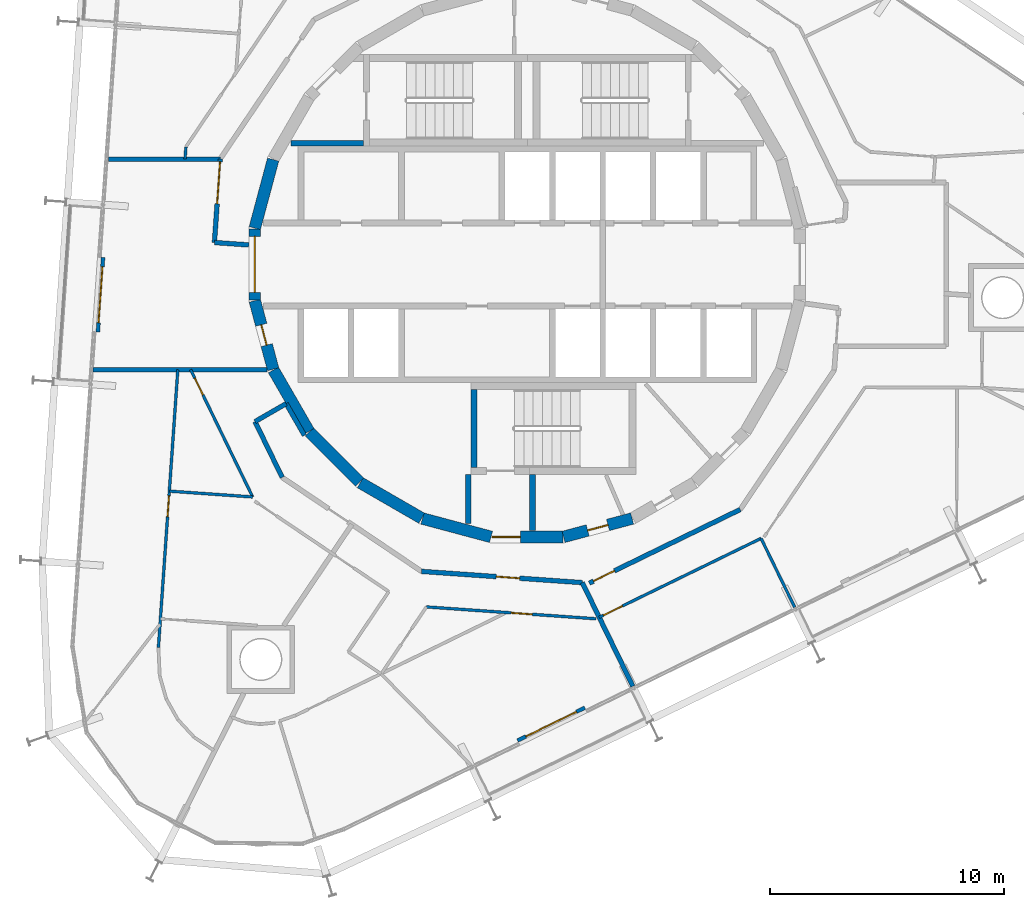
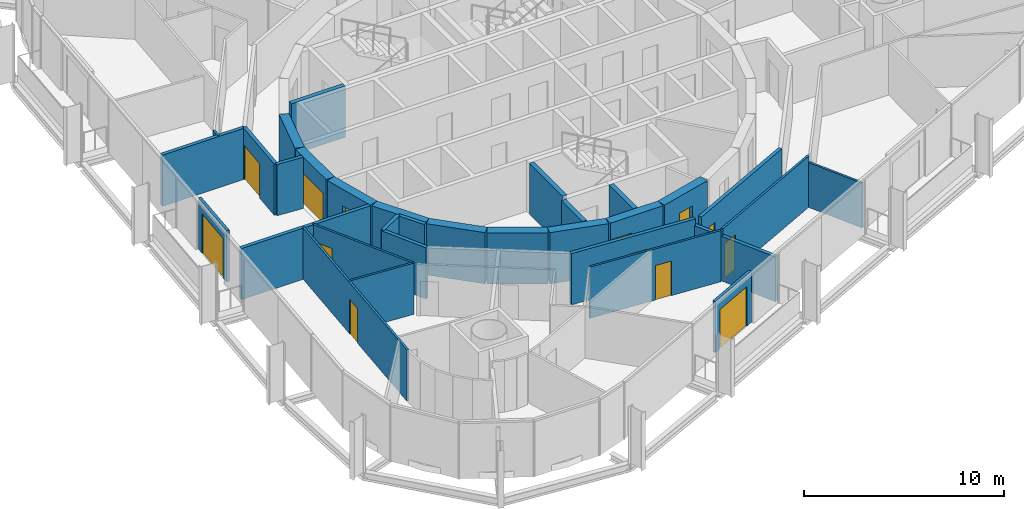
# One storey, part 12 of 17: 32 walls, 13 doors, 13 openings.
"""IFC4 building model written with IfcOpenShell, lengths in metres."""

import ifcopenshell
import ifcopenshell.guid

model = None  # the IFC model being written
_history = None  # IfcOwnerHistory: only IFC2X3 demands one
_inside = {}  # id of a spatial element -> (the spatial element, [elements in it])
_under = {}  # id of a project, library or spatial element -> (it, [spatial elements below it])
_declared = {}  # id of a project -> (the project, [libraries it declares])
_typed = {}  # id of a type object -> (the type object, [elements of that type])
_made_of = {}  # id of a material, layer set ... -> (it, [elements and type objects made of it])


def new_model(schema):
    """Start an empty IFC model of exactly this schema.

    Asked for "IFC4X3", IfcOpenShell would pick the latest addendum, in which some entities
    have other attributes; the version numbers below select the first issue.
    IFC2X3 requires an IfcOwnerHistory on every rooted entity: one is made here for all.
    """
    global model, _history
    if schema == "IFC4X3":
        model = ifcopenshell.file(schema_version=(4, 3, 0, 0))
    else:
        model = ifcopenshell.file(schema=schema)
    _inside.clear()
    _under.clear()
    _declared.clear()
    _typed.clear()
    _made_of.clear()
    _history = None
    if model.schema == "IFC2X3":
        org = make("IfcOrganization", Name="unknown")
        user = make(
            "IfcPersonAndOrganization",
            ThePerson=make("IfcPerson", FamilyName="unknown"),
            TheOrganization=org,
        )
        app = make(
            "IfcApplication",
            ApplicationDeveloper=org,
            Version="unknown",
            ApplicationFullName="unknown",
            ApplicationIdentifier="unknown",
        )
        _history = make(
            "IfcOwnerHistory",
            OwningUser=user,
            OwningApplication=app,
            ChangeAction="ADDED",
            CreationDate=0,
        )
    return model


def make(cls, **values):
    """One entity of the class cls with the attributes given. An attribute that is None is left unset."""
    return model.create_entity(
        cls, **{name: value for name, value in values.items() if value is not None}
    )


def rooted(cls, **values):
    """An entity with a GlobalId (a new one), such as an element, a storey or a relation."""
    return make(cls, GlobalId=ifcopenshell.guid.new(), OwnerHistory=_history, **values)


def si_unit(unit_type, name, prefix=None):
    """IfcSIUnit, for example si_unit("LENGTHUNIT", "METRE", prefix="MILLI")."""
    return make("IfcSIUnit", UnitType=unit_type, Prefix=prefix, Name=name)


def assignment(units):
    """IfcUnitAssignment: the units of a project."""
    return None if units is None else make("IfcUnitAssignment", Units=units)


def point(xyz):
    """IfcCartesianPoint."""
    return None if xyz is None else make("IfcCartesianPoint", Coordinates=xyz)


def direction(xyz):
    """IfcDirection."""
    return None if xyz is None else make("IfcDirection", DirectionRatios=xyz)


def frame(location, z_axis=None, x_axis=None):
    """IfcAxis2Placement3D, a coordinate frame: its origin and axes. An axis left out is left unset."""
    return make(
        "IfcAxis2Placement3D",
        Location=point(location),
        Axis=direction(z_axis),
        RefDirection=direction(x_axis),
    )


def frame_2d(location, x_axis=None):
    """IfcAxis2Placement2D, a coordinate frame in the plane: its origin and x axis."""
    return make(
        "IfcAxis2Placement2D", Location=point(location), RefDirection=direction(x_axis)
    )


def origin():
    """The frame at (0, 0, 0) with its axes left unset."""
    return frame((0.0, 0.0, 0.0))


def place(relative_to, where):
    """IfcLocalPlacement: puts the frame where relative to a parent placement (None: the world)."""
    return make(
        "IfcLocalPlacement", PlacementRelTo=relative_to, RelativePlacement=where
    )


def context(
    kind, dimensions, precision=None, world=None, true_north=None, identifier=None
):
    """IfcGeometricRepresentationContext, for example the 3D "Model" context."""
    return make(
        "IfcGeometricRepresentationContext",
        ContextIdentifier=identifier,
        ContextType=kind,
        CoordinateSpaceDimension=dimensions,
        Precision=precision,
        WorldCoordinateSystem=world,
        TrueNorth=true_north,
    )


def subcontext(parent, identifier, kind, view, scale=None):
    """IfcGeometricRepresentationSubContext, for example "Body" below "Model"."""
    return make(
        "IfcGeometricRepresentationSubContext",
        ContextIdentifier=identifier,
        ContextType=kind,
        ParentContext=parent,
        TargetScale=scale,
        TargetView=view,
    )


def project(units=None, contexts=None):
    """IfcProject with its units and contexts."""
    return rooted(
        "IfcProject",
        Name="project",
        RepresentationContexts=contexts,
        UnitsInContext=assignment(units),
    )


def spatial(cls, under=None, at=None, **own):
    """A site, building, storey or space (cls), placed at a placement, below another one or the project."""
    s = rooted(cls, ObjectPlacement=at, **own)
    if under is not None:
        _under.setdefault(under.id(), (under, []))[1].append(s)
    return s


def profile(cls, at=None, kind="AREA", **sizes):
    """A parametric profile (cls). Its sizes go by their IFC names, for example OverallWidth=200.0."""
    return make(cls, ProfileType=kind, Position=at, **sizes)


def rectangle(**sizes):
    """IfcRectangleProfileDef."""
    return profile("IfcRectangleProfileDef", **sizes)


def extrude(swept, where, along, depth):
    """IfcExtrudedAreaSolid: the profile swept, set in the frame where, extruded along a direction by depth."""
    return make(
        "IfcExtrudedAreaSolid",
        SweptArea=swept,
        Position=where,
        ExtrudedDirection=direction(along),
        Depth=depth,
    )


def shape(context_of_items, identifier, shape_type, items):
    """IfcShapeRepresentation: the items that make up one representation, for example the "Body"."""
    return make(
        "IfcShapeRepresentation",
        ContextOfItems=context_of_items,
        RepresentationIdentifier=identifier,
        RepresentationType=shape_type,
        Items=items,
    )


def material(Name=None, Category=None):
    """IfcMaterial."""
    return make("IfcMaterial", Name=Name, Category=Category)


def layer(
    of_material, thickness, ventilated=None, Name=None, Category=None, Priority=None
):
    """IfcMaterialLayer: one layer of a wall or slab, of a material (None: an air gap)."""
    return make(
        "IfcMaterialLayer",
        Material=of_material,
        LayerThickness=thickness,
        IsVentilated=ventilated,
        Name=Name,
        Category=Category,
        Priority=Priority,
    )


def layer_set(layers, Name=None):
    """IfcMaterialLayerSet."""
    return make("IfcMaterialLayerSet", MaterialLayers=layers, LayerSetName=Name)


def made_of(thing, what):
    """Note that an element or type object is made of a material, layer set ...; save() writes the relation."""
    if what is not None:
        _made_of.setdefault(what.id(), (what, []))[1].append(thing)
    return thing


def type_object(cls, material=None, **own):
    """A type object (cls), such as IfcWallType, which elements share."""
    return made_of(rooted(cls, **own), material)


def element(
    cls,
    number,
    at=None,
    inside=None,
    cuts=None,
    type_object=None,
    material=None,
    context=None,
    identifier="Body",
    shape_type=None,
    held_by="IfcProductDefinitionShape",
    body=None,
    shapes=None,
    **own,
):
    """One element of the class cls, such as IfcWall. Its Tag is "e" and its number.

    at: its placement. inside: the storey or other place that contains it. cuts: it is an
    opening in that element (IfcRelVoidsElement). A single representation is given by context,
    identifier, shape_type and body (its items); several are given by shapes. held_by: the class
    of the entity that holds the representations. save() writes the other relations.
    """
    e = rooted(cls, Tag="e%d" % number, ObjectPlacement=at, **own)
    if body is not None:
        shapes = [shape(context, identifier, shape_type, body)]
    if shapes is not None:
        e.Representation = make(held_by, Representations=shapes)
    if inside is not None:
        _inside.setdefault(inside.id(), (inside, []))[1].append(e)
    if cuts is not None:
        rooted(
            "IfcRelVoidsElement", RelatingBuildingElement=cuts, RelatedOpeningElement=e
        )
    if type_object is not None:
        _typed.setdefault(type_object.id(), (type_object, []))[1].append(e)
    return made_of(e, material)


def fill(opening, filler):
    """IfcRelFillsElement: the door or window that sits in an opening."""
    return rooted(
        "IfcRelFillsElement",
        RelatingOpeningElement=opening,
        RelatedBuildingElement=filler,
    )


def aggregate(whole, parts):
    """IfcRelAggregates: a whole, such as a stair, and the parts it consists of."""
    return rooted("IfcRelAggregates", RelatingObject=whole, RelatedObjects=parts)


def save(model, path):
    """Write the relations noted so far, then the file.

    IfcRelAggregates (storeys below a building ...), IfcRelContainedInSpatialStructure (elements
    in a storey), IfcRelDefinesByType, IfcRelAssociatesMaterial and IfcRelDeclares: one each for
    every whole, place, type object, material and project.
    """
    for whole, parts in _under.values():
        aggregate(whole, parts)
    for where, things in _inside.values():
        rooted(
            "IfcRelContainedInSpatialStructure",
            RelatedElements=things,
            RelatingStructure=where,
        )
    for kind, things in _typed.values():
        rooted("IfcRelDefinesByType", RelatedObjects=things, RelatingType=kind)
    for what, things in _made_of.values():
        rooted("IfcRelAssociatesMaterial", RelatedObjects=things, RelatingMaterial=what)
    for by, libraries in _declared.values():
        rooted("IfcRelDeclares", RelatingContext=by, RelatedDefinitions=libraries)
    model.write(path)


model = new_model("IFC4")

# Units and contexts
model_context = context("Model", 3, precision=1e-05, world=origin(), true_north=direction((0.0, 1.0)))
body_context = subcontext(model_context, "Body", "Model", "MODEL_VIEW")
ifc_project = project(units=[si_unit("LENGTHUNIT", "METRE"), si_unit("AREAUNIT", "SQUARE_METRE"), si_unit("VOLUMEUNIT", "CUBIC_METRE"), si_unit("PLANEANGLEUNIT", "RADIAN"), si_unit("MASSUNIT", "GRAM", prefix="KILO")], contexts=[model_context])

# Site, building, storey
site_placement = place(None, origin())
site = spatial("IfcSite", under=ifc_project, at=site_placement, CompositionType="ELEMENT")
building_placement = place(site_placement, origin())
building = spatial("IfcBuilding", under=site, at=building_placement, Name="Spindle Arch Residences", CompositionType="ELEMENT")
storey_placement = place(building_placement, frame((0.0, 0.0, 209.39990234375)))
storey = spatial("IfcBuildingStorey", under=building, at=storey_placement, Name="L53", CompositionType="ELEMENT", Elevation=209.39990234375)

# Wall, opening, door
ifc_material_1 = material(Name="Concrete C50/60", Category="concrete")
ifc_layer_1 = layer(ifc_material_1, 0.5)
ifc_layer_set_1 = layer_set([ifc_layer_1], Name="Core outline wall 500")
wall_type_1 = type_object("IfcWallType", Name="Core outline wall 500", PredefinedType="SHEAR", material=ifc_layer_set_1)
wall_1_placement = place(storey_placement, frame((1.5498046875, -11.642822265625, 0.0), z_axis=(0.0, 0.0, 1.0), x_axis=(0.965948410781, 0.258734743916, 0.0)))
wall_1 = element("IfcWall", 1, at=wall_1_placement, inside=storey, type_object=wall_type_1, Name="Core outline wall 1", PredefinedType="SHEAR", context=body_context, shape_type="SweptSolid", body=[
    extrude(rectangle(XDim=3.03271484375, YDim=0.5, at=frame_2d((1.516357421875, 0.0))), origin(), (0.0, 0.0, 1.0), 3.1201171875),
])
opening_1_placement = place(wall_1_placement, frame((1.06640625, 0.0, 0.0)))
opening_1 = element("IfcOpeningElement", 2, at=opening_1_placement, cuts=wall_1, Name="Opening R5C0-WD07", PredefinedType="OPENING", context=body_context, shape_type="SweptSolid", body=[
    extrude(rectangle(XDim=0.89990234375, YDim=2.10009765625, at=frame_2d((0.449951171875, 1.050048828125))), frame((0.0, 0.260009765625, 0.0), z_axis=(0.0, -1.0, 0.0), x_axis=(1.0, 0.0, 0.0)), (0.0, 0.0, 1.0), 0.52001953125),
])
ifc_material_2 = material(Name="Steel, fire-resisting door", Category="steel")
door_type_1 = type_object("IfcDoorType", Name="Service room door 900x2100", OperationType="SINGLE_SWING_LEFT", PredefinedType="DOOR", material=ifc_material_2)
door_1_placement = place(opening_1_placement, origin())
door_1 = element("IfcDoor", 3, at=door_1_placement, inside=storey, type_object=door_type_1, Name="Service room door R5C0-WD07", OperationType="SINGLE_SWING_LEFT", OverallHeight=2.10009765625, OverallWidth=0.89990234375, PredefinedType="DOOR", context=body_context, shape_type="SweptSolid", body=[
    extrude(rectangle(XDim=0.89990234375, YDim=2.10009765625, at=frame_2d((0.449951171875, 1.050048828125))), frame((0.0, 0.02490234375, 0.0), z_axis=(0.0, -1.0, 0.0), x_axis=(1.0, 0.0, 0.0)), (0.0, 0.0, 1.0), 0.050048828125),
])
fill(opening_1, door_1)

# Wall
wall_2_placement = place(storey_placement, frame((-10.858154296875, 4.479248046875, 0.0), z_axis=(0.0, 0.0, 1.0), x_axis=(-0.258734743916, -0.965948410781, 0.0)))
element("IfcWall", 4, at=wall_2_placement, inside=storey, type_object=wall_type_1, Name="Core outline wall 17", PredefinedType="SHEAR", context=body_context, shape_type="SweptSolid", body=[
    extrude(rectangle(XDim=3.03271484375, YDim=0.5, at=frame_2d((1.516357421875, 0.0))), origin(), (0.0, 0.0, 1.0), 3.1201171875),
])

# Wall, opening, door
wall_3_placement = place(storey_placement, frame((-11.647216796875, 1.516357421875, 0.0), z_axis=(0.0, 0.0, 1.0), x_axis=(0.0, -1.0, 0.0)))
wall_3 = element("IfcWall", 5, at=wall_3_placement, inside=storey, type_object=wall_type_1, Name="Core outline wall 18", PredefinedType="SHEAR", context=body_context, shape_type="SweptSolid", body=[
    extrude(rectangle(XDim=3.03271484375, YDim=0.5, at=frame_2d((1.516357421875, 0.0))), origin(), (0.0, 0.0, 1.0), 3.1201171875),
])
opening_2_placement = place(wall_3_placement, frame((0.31640625, 0.0, 0.0)))
opening_2 = element("IfcOpeningElement", 6, at=opening_2_placement, cuts=wall_3, Name="Opening R5C0-LE01", PredefinedType="OPENING", context=body_context, shape_type="SweptSolid", body=[
    extrude(rectangle(XDim=2.39990234375, YDim=2.10009765625, at=frame_2d((1.199951171875, 1.050048828125))), frame((0.0, 0.260009765625, 0.0), z_axis=(0.0, -1.0, 0.0), x_axis=(1.0, 0.0, 0.0)), (0.0, 0.0, 1.0), 0.52001953125),
])
ifc_material_3 = material(Name="Steel, fire-resisting door", Category="steel")
door_type_2 = type_object("IfcDoorType", Name="Lift lobby entrance door 2400x2100", OperationType="DOUBLE_DOOR_SINGLE_SWING", PredefinedType="DOOR", material=ifc_material_3)
door_2_placement = place(opening_2_placement, origin())
door_2 = element("IfcDoor", 7, at=door_2_placement, inside=storey, type_object=door_type_2, Name="Lift lobby entrance door R5C0-LE01", OperationType="DOUBLE_DOOR_SINGLE_SWING", OverallHeight=2.10009765625, OverallWidth=2.39990234375, PredefinedType="DOOR", context=body_context, shape_type="SweptSolid", body=[
    extrude(rectangle(XDim=2.39990234375, YDim=2.10009765625, at=frame_2d((1.199951171875, 1.050048828125))), frame((0.0, 0.02490234375, 0.0), z_axis=(0.0, -1.0, 0.0), x_axis=(1.0, 0.0, 0.0)), (0.0, 0.0, 1.0), 0.050048828125),
])
fill(opening_2, door_2)

wall_4_placement = place(storey_placement, frame((-11.642822265625, -1.5498046875, 0.0), z_axis=(0.0, 0.0, 1.0), x_axis=(0.258734743916, -0.965948410781, 0.0)))
wall_4 = element("IfcWall", 8, at=wall_4_placement, inside=storey, type_object=wall_type_1, Name="Core outline wall 19", PredefinedType="SHEAR", context=body_context, shape_type="SweptSolid", body=[
    extrude(rectangle(XDim=3.03271484375, YDim=0.5, at=frame_2d((1.516357421875, 0.0))), origin(), (0.0, 0.0, 1.0), 3.1201171875),
])
opening_3_placement = place(wall_4_placement, frame((1.06640625, 0.0, 0.0)))
opening_3 = element("IfcOpeningElement", 9, at=opening_3_placement, cuts=wall_4, Name="Opening R5C0-WD09", PredefinedType="OPENING", context=body_context, shape_type="SweptSolid", body=[
    extrude(rectangle(XDim=0.89990234375, YDim=2.10009765625, at=frame_2d((0.449951171875, 1.050048828125))), frame((0.0, 0.260009765625, 0.0), z_axis=(0.0, -1.0, 0.0), x_axis=(1.0, 0.0, 0.0)), (0.0, 0.0, 1.0), 0.52001953125),
])
door_3_placement = place(opening_3_placement, origin())
door_3 = element("IfcDoor", 10, at=door_3_placement, inside=storey, type_object=door_type_1, Name="Service room door R5C0-WD09", OperationType="SINGLE_SWING_LEFT", OverallHeight=2.10009765625, OverallWidth=0.89990234375, PredefinedType="DOOR", context=body_context, shape_type="SweptSolid", body=[
    extrude(rectangle(XDim=0.89990234375, YDim=2.10009765625, at=frame_2d((0.449951171875, 1.050048828125))), frame((0.0, 0.02490234375, 0.0), z_axis=(0.0, -1.0, 0.0), x_axis=(1.0, 0.0, 0.0)), (0.0, 0.0, 1.0), 0.050048828125),
])
fill(opening_3, door_3)

# Walls
wall_5_placement = place(storey_placement, frame((-10.84521484375, -4.510498046875, 0.0), z_axis=(0.0, 0.0, 1.0), x_axis=(0.500087131594, -0.865975092491, 0.0)))
element("IfcWall", 11, at=wall_5_placement, inside=storey, type_object=wall_type_1, Name="Core outline wall 20", PredefinedType="SHEAR", context=body_context, shape_type="SweptSolid", body=[
    extrude(rectangle(XDim=3.03271484375, YDim=0.5, at=frame_2d((1.516357421875, 0.0))), origin(), (0.0, 0.0, 1.0), 3.1201171875),
])
wall_6_placement = place(storey_placement, frame((-9.30810546875, -7.163818359375, 0.0), z_axis=(0.0, 0.0, 1.0), x_axis=(0.707106781187, -0.707106781187, 0.0)))
element("IfcWall", 12, at=wall_6_placement, inside=storey, type_object=wall_type_1, Name="Core outline wall 21", PredefinedType="SHEAR", context=body_context, shape_type="SweptSolid", body=[
    extrude(rectangle(XDim=3.032470703125, YDim=0.5, at=frame_2d((1.51611328125, 0.0))), origin(), (0.0, 0.0, 1.0), 3.1201171875),
])
for number, where, z_axis, x_axis, name in (
    (13, (-7.13671875, -9.32861328125, 0.0), (0.0, 0.0, 1.0), (0.865975092491, -0.500087131594, 0.0), "Core outline wall 22"),
    (14, (-4.479248046875, -10.858154296875, 0.0), (0.0, 0.0, 1.0), (0.965948410781, -0.258734743916, 0.0), "Core outline wall 23"),
):
    element("IfcWall", number, at=place(storey_placement, frame(where, z_axis=z_axis, x_axis=x_axis)), inside=storey, type_object=wall_type_1, Name=name, PredefinedType="SHEAR", context=body_context, shape_type="SweptSolid", body=[
        extrude(rectangle(XDim=3.03271484375, YDim=0.5, at=frame_2d((1.516357421875, 0.0))), origin(), (0.0, 0.0, 1.0), 3.1201171875),
    ])

# Wall, opening, door
wall_7_placement = place(storey_placement, frame((-1.516357421875, -11.647216796875, 0.0), z_axis=(0.0, 0.0, 1.0), x_axis=(1.0, 0.0, 0.0)))
wall_7 = element("IfcWall", 15, at=wall_7_placement, inside=storey, type_object=wall_type_1, Name="Core outline wall 24", PredefinedType="SHEAR", context=body_context, shape_type="SweptSolid", body=[
    extrude(rectangle(XDim=3.03271484375, YDim=0.5, at=frame_2d((1.516357421875, 0.0))), origin(), (0.0, 0.0, 1.0), 3.1201171875),
])
opening_4_placement = place(wall_7_placement, frame((0.016357421875, 0.0, 0.0)))
opening_4 = element("IfcOpeningElement", 16, at=opening_4_placement, cuts=wall_7, Name="Opening R5C0-AD03", PredefinedType="OPENING", context=body_context, shape_type="SweptSolid", body=[
    extrude(rectangle(XDim=1.199951171875, YDim=2.10009765625, at=frame_2d((0.60009765625, 1.050048828125))), frame((0.0, 0.260009765625, 0.0), z_axis=(0.0, -1.0, 0.0), x_axis=(1.0, 0.0, 0.0)), (0.0, 0.0, 1.0), 0.52001953125),
])
ifc_material_4 = material(Name="Steel, fire-resisting door", Category="steel")
door_type_3 = type_object("IfcDoorType", Name="Stair airlock door 1200x2100", OperationType="SINGLE_SWING_LEFT", PredefinedType="DOOR", material=ifc_material_4)
door_4_placement = place(opening_4_placement, origin())
door_4 = element("IfcDoor", 17, at=door_4_placement, inside=storey, type_object=door_type_3, Name="Stair airlock door R5C0-AD03", OperationType="SINGLE_SWING_RIGHT", OverallHeight=2.10009765625, OverallWidth=1.199951171875, PredefinedType="DOOR", context=body_context, shape_type="SweptSolid", body=[
    extrude(rectangle(XDim=1.199951171875, YDim=2.10009765625, at=frame_2d((0.60009765625, 1.050048828125))), frame((0.0, 0.02490234375, 0.0), z_axis=(0.0, -1.0, 0.0), x_axis=(1.0, 0.0, 0.0)), (0.0, 0.0, 1.0), 0.050048828125),
])
fill(opening_4, door_4)

# Walls
ifc_material_5 = material(Name="Calcium silicate block, plastered")
ifc_layer_2 = layer(ifc_material_5, 0.199951171875)
ifc_layer_set_2 = layer_set([ifc_layer_2], Name="Corridor wall 200")
wall_type_2 = type_object("IfcWallType", Name="Corridor wall 200", PredefinedType="STANDARD", material=ifc_layer_set_2)
wall_8_placement = place(storey_placement, frame((-10.303466796875, -5.94873046875, 0.0), z_axis=(0.0, 0.0, 1.0), x_axis=(-0.866042588199, -0.499970234539, 0.0)))
element("IfcWall", 18, at=wall_8_placement, inside=storey, type_object=wall_type_2, Name="Corridor wall R5C0-W015", PredefinedType="STANDARD", context=body_context, shape_type="SweptSolid", body=[
    extrude(rectangle(XDim=1.53515625, YDim=0.199951171875, at=frame_2d((0.767578125, 0.0))), origin(), (0.0, 0.0, 1.0), 3.1201171875),
])
wall_9_placement = place(storey_placement, frame((-11.633056640625, -6.71630859375, 0.0), z_axis=(0.0, 0.0, 1.0), x_axis=(0.438322116278, -0.898817958422, 0.0)))
element("IfcWall", 19, at=wall_9_placement, inside=storey, type_object=wall_type_2, Name="Corridor wall R5C0-W016", PredefinedType="STANDARD", context=body_context, shape_type="SweptSolid", body=[
    extrude(rectangle(XDim=2.653564453125, YDim=0.199951171875, at=frame_2d((1.32666015625, 0.0))), origin(), (0.0, 0.0, 1.0), 3.1201171875),
])
wall_10_placement = place(storey_placement, frame((-9.520263671875, -7.30517578125, 0.0), z_axis=(0.0, 0.0, 1.0), x_axis=(-0.500028278809, 0.866009076391, 0.0)))
element("IfcWall", 20, at=wall_10_placement, inside=storey, type_object=wall_type_2, Name="Corridor wall R5C0-W018", PredefinedType="STANDARD", context=body_context, shape_type="SweptSolid", body=[
    extrude(rectangle(XDim=1.56640625, YDim=0.199951171875, at=frame_2d((0.783203125, 0.0))), origin(), (0.0, 0.0, 1.0), 3.1201171875),
])

# Wall, opening, door
wall_11_placement = place(storey_placement, frame((-4.5166015625, -13.116943359375, 0.0), z_axis=(0.0, 0.0, 1.0), x_axis=(0.997564669554, -0.069747616856, 0.0)))
wall_11 = element("IfcWall", 21, at=wall_11_placement, inside=storey, type_object=wall_type_2, Name="Corridor wall R5C0-W019", PredefinedType="STANDARD", context=body_context, shape_type="SweptSolid", body=[
    extrude(rectangle(XDim=6.88525390625, YDim=0.199951171875, at=frame_2d((3.442626953125, 0.0))), origin(), (0.0, 0.0, 1.0), 3.1201171875),
])
opening_5_placement = place(wall_11_placement, frame((3.199951171875, 0.0, 0.0)))
opening_5 = element("IfcOpeningElement", 22, at=opening_5_placement, cuts=wall_11, Name="Opening R5C0-FD05", PredefinedType="OPENING", context=body_context, shape_type="SweptSolid", body=[
    extrude(rectangle(XDim=1.0, YDim=2.10009765625, at=frame_2d((0.5, 1.050048828125))), frame((0.0, 0.10986328125, 0.0), z_axis=(0.0, -1.0, 0.0), x_axis=(1.0, 0.0, 0.0)), (0.0, 0.0, 1.0), 0.219970703125),
])
ifc_material_6 = material(Name="Timber, fire-resisting door set", Category="wood")
door_type_4 = type_object("IfcDoorType", Name="Flat entrance door 1000x2100", OperationType="NOTDEFINED", PredefinedType="DOOR", material=ifc_material_6)
door_5_placement = place(opening_5_placement, origin())
door_5 = element("IfcDoor", 23, at=door_5_placement, inside=storey, type_object=door_type_4, Name="Flat entrance door R5C0-FD05", OperationType="SINGLE_SWING_LEFT", OverallHeight=2.10009765625, OverallWidth=1.0, PredefinedType="DOOR", context=body_context, shape_type="SweptSolid", body=[
    extrude(rectangle(XDim=1.0, YDim=2.10009765625, at=frame_2d((0.5, 1.050048828125))), frame((0.0, 0.02490234375, 0.0), z_axis=(0.0, -1.0, 0.0), x_axis=(1.0, 0.0, 0.0)), (0.0, 0.0, 1.0), 0.050048828125),
])
fill(opening_5, door_5)

wall_12_placement = place(storey_placement, frame((2.64697265625, -13.617919921875, 0.0), z_axis=(0.0, 0.0, 1.0), x_axis=(0.898796543751, 0.438366026218, 0.0)))
wall_12 = element("IfcWall", 24, at=wall_12_placement, inside=storey, type_object=wall_type_2, Name="Corridor wall R5C0-W020", PredefinedType="STANDARD", context=body_context, shape_type="SweptSolid", body=[
    extrude(rectangle(XDim=7.18115234375, YDim=0.199951171875, at=frame_2d((3.590576171875, 0.0))), origin(), (0.0, 0.0, 1.0), 3.1201171875),
])
opening_6_placement = place(wall_12_placement, frame((0.199951171875, 0.0, 0.0)))
opening_6 = element("IfcOpeningElement", 25, at=opening_6_placement, cuts=wall_12, Name="Opening R5C0-FD06", PredefinedType="OPENING", context=body_context, shape_type="SweptSolid", body=[
    extrude(rectangle(XDim=1.0, YDim=2.10009765625, at=frame_2d((0.5, 1.050048828125))), frame((0.0, 0.10986328125, 0.0), z_axis=(0.0, -1.0, 0.0), x_axis=(1.0, 0.0, 0.0)), (0.0, 0.0, 1.0), 0.219970703125),
])
door_6_placement = place(opening_6_placement, origin())
door_6 = element("IfcDoor", 26, at=door_6_placement, inside=storey, type_object=door_type_4, Name="Flat entrance door R5C0-FD06", OperationType="SINGLE_SWING_LEFT", OverallHeight=2.10009765625, OverallWidth=1.0, PredefinedType="DOOR", context=body_context, shape_type="SweptSolid", body=[
    extrude(rectangle(XDim=1.0, YDim=2.10009765625, at=frame_2d((0.5, 1.050048828125))), frame((0.0, 0.02490234375, 0.0), z_axis=(0.0, -1.0, 0.0), x_axis=(1.0, 0.0, 0.0)), (0.0, 0.0, 1.0), 0.050048828125),
])
fill(opening_6, door_6)

# Wall
ifc_material_7 = material(Name="Plasterboard on steel studs", Category="steel")
ifc_layer_3 = layer(ifc_material_7, 0.1201171875)
ifc_layer_set_3 = layer_set([ifc_layer_3], Name="Flat partition 120")
wall_type_3 = type_object("IfcWallType", Name="Flat partition 120", PredefinedType="PARTITIONING", material=ifc_layer_set_3)
wall_13_placement = place(storey_placement, frame((-14.585205078125, 5.022216796875, 0.0), z_axis=(0.0, 0.0, 1.0), x_axis=(-0.069490327804, -0.997582625321, 0.0)))
element("IfcWall", 27, at=wall_13_placement, inside=storey, type_object=wall_type_3, Name="Flat partition R5C0-W060", PredefinedType="PARTITIONING", context=body_context, shape_type="SweptSolid", body=[
    extrude(rectangle(XDim=0.5234375, YDim=0.1201171875, at=frame_2d((0.26171875, 0.0))), origin(), (0.0, 0.0, 1.0), 3.1201171875),
])

# Wall, opening, door
wall_14_placement = place(storey_placement, frame((-14.383056640625, -4.5, 0.0), z_axis=(0.0, 0.0, 1.0), x_axis=(0.438393414895, -0.898783185077, 0.0)))
wall_14 = element("IfcWall", 28, at=wall_14_placement, inside=storey, type_object=wall_type_3, Name="Flat partition R5C0-W070", PredefinedType="PARTITIONING", context=body_context, shape_type="SweptSolid", body=[
    extrude(rectangle(XDim=6.049072265625, YDim=0.1201171875, at=frame_2d((3.0244140625, 0.0))), origin(), (0.0, 0.0, 1.0), 3.1201171875),
])
opening_7_placement = place(wall_14_placement, frame((0.39990234375, 0.0, 0.0)))
opening_7 = element("IfcOpeningElement", 29, at=opening_7_placement, cuts=wall_14, Name="Opening R5C0-BD04", PredefinedType="OPENING", context=body_context, shape_type="SweptSolid", body=[
    extrude(rectangle(XDim=0.800048828125, YDim=2.10009765625, at=frame_2d((0.39990234375, 1.050048828125))), frame((0.0, 0.070068359375, 0.0), z_axis=(0.0, -1.0, 0.0), x_axis=(1.0, 0.0, 0.0)), (0.0, 0.0, 1.0), 0.14013671875),
])
ifc_material_8 = material(Name="Timber door set", Category="wood")
door_type_5 = type_object("IfcDoorType", Name="Bathroom door 800x2100", OperationType="NOTDEFINED", PredefinedType="DOOR", material=ifc_material_8)
door_7_placement = place(opening_7_placement, origin())
door_7 = element("IfcDoor", 30, at=door_7_placement, inside=storey, type_object=door_type_5, Name="Bathroom door R5C0-BD04", OperationType="SINGLE_SWING_RIGHT", OverallHeight=2.10009765625, OverallWidth=0.800048828125, PredefinedType="DOOR", context=body_context, shape_type="SweptSolid", body=[
    extrude(rectangle(XDim=0.800048828125, YDim=2.10009765625, at=frame_2d((0.39990234375, 1.050048828125))), frame((0.0, 0.02490234375, 0.0), z_axis=(0.0, -1.0, 0.0), x_axis=(1.0, 0.0, 0.0)), (0.0, 0.0, 1.0), 0.050048828125),
])
fill(opening_7, door_7)

wall_15_placement = place(storey_placement, frame((-14.930908203125, -4.5, 0.0), z_axis=(0.0, 0.0, 1.0), x_axis=(-0.069751708439, -0.997564383471, 0.0)))
wall_15 = element("IfcWall", 31, at=wall_15_placement, inside=storey, type_object=wall_type_3, Name="Flat partition R5C0-W072", PredefinedType="PARTITIONING", context=body_context, shape_type="SweptSolid", body=[
    extrude(rectangle(XDim=11.8935546875, YDim=0.1201171875, at=frame_2d((5.94677734375, 0.0))), origin(), (0.0, 0.0, 1.0), 3.1201171875),
])
opening_8_placement = place(wall_15_placement, frame((5.400390625, 0.0, 0.0)))
opening_8 = element("IfcOpeningElement", 32, at=opening_8_placement, cuts=wall_15, Name="Opening R5C0-ID15", PredefinedType="OPENING", context=body_context, shape_type="SweptSolid", body=[
    extrude(rectangle(XDim=0.89990234375, YDim=2.10009765625, at=frame_2d((0.449951171875, 1.050048828125))), frame((0.0, 0.070068359375, 0.0), z_axis=(0.0, -1.0, 0.0), x_axis=(1.0, 0.0, 0.0)), (0.0, 0.0, 1.0), 0.14013671875),
])
ifc_material_9 = material(Name="Timber door set", Category="wood")
door_type_6 = type_object("IfcDoorType", Name="Room door 900x2100", OperationType="NOTDEFINED", PredefinedType="DOOR", material=ifc_material_9)
door_8_placement = place(opening_8_placement, origin())
door_8 = element("IfcDoor", 33, at=door_8_placement, inside=storey, type_object=door_type_6, Name="Room door R5C0-ID15", OperationType="SINGLE_SWING_RIGHT", OverallHeight=2.10009765625, OverallWidth=0.89990234375, PredefinedType="DOOR", context=body_context, shape_type="SweptSolid", body=[
    extrude(rectangle(XDim=0.89990234375, YDim=2.10009765625, at=frame_2d((0.449951171875, 1.050048828125))), frame((0.0, 0.02490234375, 0.0), z_axis=(0.0, -1.0, 0.0), x_axis=(1.0, 0.0, 0.0)), (0.0, 0.0, 1.0), 0.050048828125),
])
fill(opening_8, door_8)

# Wall
wall_16_placement = place(storey_placement, frame((-15.293701171875, -9.687744140625, 0.0), z_axis=(0.0, 0.0, 1.0), x_axis=(0.997565819809, -0.069731163391, 0.0)))
element("IfcWall", 34, at=wall_16_placement, inside=storey, type_object=wall_type_3, Name="Flat partition R5C0-W073", PredefinedType="PARTITIONING", context=body_context, shape_type="SweptSolid", body=[
    extrude(rectangle(XDim=3.5712890625, YDim=0.1201171875, at=frame_2d((1.78564453125, 0.0))), origin(), (0.0, 0.0, 1.0), 3.1201171875),
])

# Wall, opening, door
wall_17_placement = place(storey_placement, frame((-4.309326171875, -14.635009765625, 0.0), z_axis=(0.0, 0.0, 1.0), x_axis=(0.997564788147, -0.069745920658, 0.0)))
wall_17 = element("IfcWall", 35, at=wall_17_placement, inside=storey, type_object=wall_type_3, Name="Flat partition R5C0-W084", PredefinedType="PARTITIONING", context=body_context, shape_type="SweptSolid", body=[
    extrude(rectangle(XDim=7.2705078125, YDim=0.1201171875, at=frame_2d((3.63525390625, 0.0))), origin(), (0.0, 0.0, 1.0), 3.1201171875),
])
opening_9_placement = place(wall_17_placement, frame((3.632080078125, 0.0, 0.0)))
opening_9 = element("IfcOpeningElement", 36, at=opening_9_placement, cuts=wall_17, Name="Opening R5C0-ID19", PredefinedType="OPENING", context=body_context, shape_type="SweptSolid", body=[
    extrude(rectangle(XDim=0.89990234375, YDim=2.10009765625, at=frame_2d((0.449951171875, 1.050048828125))), frame((0.0, 0.070068359375, 0.0), z_axis=(0.0, -1.0, 0.0), x_axis=(1.0, 0.0, 0.0)), (0.0, 0.0, 1.0), 0.14013671875),
])
door_9_placement = place(opening_9_placement, origin())
door_9 = element("IfcDoor", 37, at=door_9_placement, inside=storey, type_object=door_type_6, Name="Room door R5C0-ID19", OperationType="SINGLE_SWING_LEFT", OverallHeight=2.10009765625, OverallWidth=0.89990234375, PredefinedType="DOOR", context=body_context, shape_type="SweptSolid", body=[
    extrude(rectangle(XDim=0.89990234375, YDim=2.10009765625, at=frame_2d((0.449951171875, 1.050048828125))), frame((0.0, 0.02490234375, 0.0), z_axis=(0.0, -1.0, 0.0), x_axis=(1.0, 0.0, 0.0)), (0.0, 0.0, 1.0), 0.050048828125),
])
fill(opening_9, door_9)

wall_18_placement = place(storey_placement, frame((3.07421875, -15.078369140625, 0.0), z_axis=(0.0, 0.0, 1.0), x_axis=(0.898800770739, 0.438357359377, 0.0)))
wall_18 = element("IfcWall", 38, at=wall_18_placement, inside=storey, type_object=wall_type_3, Name="Flat partition R5C0-W092", PredefinedType="PARTITIONING", context=body_context, shape_type="SweptSolid", body=[
    extrude(rectangle(XDim=7.693603515625, YDim=0.1201171875, at=frame_2d((3.8466796875, 0.0))), origin(), (0.0, 0.0, 1.0), 3.1201171875),
])
opening_10_placement = place(wall_18_placement, frame((0.199951171875, 0.0, 0.0)))
opening_10 = element("IfcOpeningElement", 39, at=opening_10_placement, cuts=wall_18, Name="Opening R5C0-ID22", PredefinedType="OPENING", context=body_context, shape_type="SweptSolid", body=[
    extrude(rectangle(XDim=0.89990234375, YDim=2.10009765625, at=frame_2d((0.449951171875, 1.050048828125))), frame((0.0, 0.070068359375, 0.0), z_axis=(0.0, -1.0, 0.0), x_axis=(1.0, 0.0, 0.0)), (0.0, 0.0, 1.0), 0.14013671875),
])
door_10_placement = place(opening_10_placement, origin())
door_10 = element("IfcDoor", 40, at=door_10_placement, inside=storey, type_object=door_type_6, Name="Room door R5C0-ID22", OperationType="SINGLE_SWING_LEFT", OverallHeight=2.10009765625, OverallWidth=0.89990234375, PredefinedType="DOOR", context=body_context, shape_type="SweptSolid", body=[
    extrude(rectangle(XDim=0.89990234375, YDim=2.10009765625, at=frame_2d((0.449951171875, 1.050048828125))), frame((0.0, 0.02490234375, 0.0), z_axis=(0.0, -1.0, 0.0), x_axis=(1.0, 0.0, 0.0)), (0.0, 0.0, 1.0), 0.050048828125),
])
fill(opening_10, door_10)

# Walls
ifc_material_10 = material(Name="Plasterboard on steel studs", Category="steel")
ifc_layer_4 = layer(ifc_material_10, 0.1201171875)
ifc_layer_set_4 = layer_set([ifc_layer_4], Name="Flat partition 120 under beam 2730")
wall_type_4 = type_object("IfcWallType", Name="Flat partition 120 under beam 2730", PredefinedType="PARTITIONING", material=ifc_layer_set_4)
wall_19_placement = place(storey_placement, frame((11.427490234375, -14.654296875, 0.0), z_axis=(0.0, 0.0, 1.0), x_axis=(-0.438410435857, 0.898774882677, 0.0)))
element("IfcWall", 41, at=wall_19_placement, inside=storey, type_object=wall_type_4, Name="Flat partition R5C0-W096", PredefinedType="PARTITIONING", context=body_context, shape_type="SweptSolid", body=[
    extrude(rectangle(XDim=3.280517578125, YDim=0.1201171875, at=frame_2d((1.64013671875, 0.0))), origin(), (0.0, 0.0, 1.0), 2.72998046875),
])
ifc_material_11 = material(Name="Calcium silicate block, plastered")
ifc_layer_5 = layer(ifc_material_11, 0.199951171875)
ifc_layer_set_5 = layer_set([ifc_layer_5], Name="Flat party wall 200 under beam 2730")
wall_type_5 = type_object("IfcWallType", Name="Flat party wall 200 under beam 2730", PredefinedType="STANDARD", material=ifc_layer_set_5)
wall_20_placement = place(storey_placement, frame((4.512451171875, -18.027099609375, 0.0), z_axis=(0.0, 0.0, 1.0), x_axis=(-0.438374835386, 0.898792247241, 0.0)))
element("IfcWall", 42, at=wall_20_placement, inside=storey, type_object=wall_type_5, Name="Flat party wall R5C0-W036", PredefinedType="STANDARD", context=body_context, shape_type="SweptSolid", body=[
    extrude(rectangle(XDim=4.9287109375, YDim=0.199951171875, at=frame_2d((2.46435546875, 0.0))), origin(), (0.0, 0.0, 1.0), 2.72998046875),
])

# Wall, opening, door
ifc_material_12 = material(Name="Non-combustible mineral wool insulated aluminium faced external wall (K0)", Category="aluminium")
ifc_layer_6 = layer(ifc_material_12, 0.159912109375)
ifc_layer_set_6 = layer_set([ifc_layer_6], Name="Insulated external wall panel 160")
wall_type_6 = type_object("IfcWallType", Name="Insulated external wall panel 160", PredefinedType="STANDARD", material=ifc_layer_set_6)
wall_21_placement = place(storey_placement, frame((-18.1240234375, 0.300537109375, 0.0), z_axis=(0.0, 0.0, 1.0), x_axis=(-0.069728915792, -0.997565976917, 0.0)))
wall_21 = element("IfcWall", 43, at=wall_21_placement, inside=storey, type_object=wall_type_6, Name="External wall L53 bay 15", PredefinedType="STANDARD", context=body_context, shape_type="SweptSolid", body=[
    extrude(rectangle(XDim=3.2001953125, YDim=0.159912109375, at=frame_2d((1.60009765625, 0.0))), origin(), (0.0, 0.0, 1.0), 3.1201171875),
])
opening_11_placement = place(wall_21_placement, frame((0.39990234375, 0.0, 0.0)))
opening_11 = element("IfcOpeningElement", 44, at=opening_11_placement, cuts=wall_21, Name="Opening BD15", PredefinedType="OPENING", context=body_context, shape_type="SweptSolid", body=[
    extrude(rectangle(XDim=2.39990234375, YDim=2.39990234375, at=frame_2d((1.199951171875, 1.199951171875))), frame((0.0, 0.08984375, 0.0), z_axis=(0.0, -1.0, 0.0), x_axis=(1.0, 0.0, 0.0)), (0.0, 0.0, 1.0), 0.179931640625),
])
ifc_material_13 = material(Name="Bronze aluminium frame, tinted double glazing", Category="aluminium")
door_type_7 = type_object("IfcDoorType", Name="Sliding glazed balcony door 2400x2400", OperationType="DOUBLE_DOOR_SLIDING", PredefinedType="DOOR", material=ifc_material_13)
door_11_placement = place(opening_11_placement, origin())
door_11 = element("IfcDoor", 45, at=door_11_placement, inside=storey, type_object=door_type_7, Name="Balcony door BD15", OperationType="DOUBLE_DOOR_SLIDING", OverallHeight=2.39990234375, OverallWidth=2.39990234375, PredefinedType="DOOR", context=body_context, shape_type="SweptSolid", body=[
    extrude(rectangle(XDim=2.39990234375, YDim=2.39990234375, at=frame_2d((1.199951171875, 1.199951171875))), frame((0.0, 0.02490234375, 0.0), z_axis=(0.0, -1.0, 0.0), x_axis=(1.0, 0.0, 0.0)), (0.0, 0.0, 1.0), 0.050048828125),
])
fill(opening_11, door_11)

wall_22_placement = place(storey_placement, frame((-0.418212890625, -20.343017578125, 0.0), z_axis=(0.0, 0.0, 1.0), x_axis=(0.898778711213, 0.43840258698, 0.0)))
wall_22 = element("IfcWall", 46, at=wall_22_placement, inside=storey, type_object=wall_type_6, Name="External wall L53 bay 21", PredefinedType="STANDARD", context=body_context, shape_type="SweptSolid", body=[
    extrude(rectangle(XDim=3.199951171875, YDim=0.159912109375, at=frame_2d((1.60009765625, 0.0))), origin(), (0.0, 0.0, 1.0), 3.1201171875),
])
opening_12_placement = place(wall_22_placement, frame((0.39990234375, 0.0, 0.0)))
opening_12 = element("IfcOpeningElement", 47, at=opening_12_placement, cuts=wall_22, Name="Opening BD21", PredefinedType="OPENING", context=body_context, shape_type="SweptSolid", body=[
    extrude(rectangle(XDim=2.39990234375, YDim=2.39990234375, at=frame_2d((1.199951171875, 1.199951171875))), frame((0.0, 0.08984375, 0.0), z_axis=(0.0, -1.0, 0.0), x_axis=(1.0, 0.0, 0.0)), (0.0, 0.0, 1.0), 0.179931640625),
])
door_12_placement = place(opening_12_placement, origin())
door_12 = element("IfcDoor", 48, at=door_12_placement, inside=storey, type_object=door_type_7, Name="Balcony door BD21", OperationType="DOUBLE_DOOR_SLIDING", OverallHeight=2.39990234375, OverallWidth=2.39990234375, PredefinedType="DOOR", context=body_context, shape_type="SweptSolid", body=[
    extrude(rectangle(XDim=2.39990234375, YDim=2.39990234375, at=frame_2d((1.199951171875, 1.199951171875))), frame((0.0, 0.02490234375, 0.0), z_axis=(0.0, -1.0, 0.0), x_axis=(1.0, 0.0, 0.0)), (0.0, 0.0, 1.0), 0.050048828125),
])
fill(opening_12, door_12)

ifc_material_14 = material(Name="Calcium silicate block, plastered")
ifc_layer_7 = layer(ifc_material_14, 0.199951171875)
ifc_layer_set_7 = layer_set([ifc_layer_7], Name="Lift lobby bay wall 200")
wall_type_7 = type_object("IfcWallType", Name="Lift lobby bay wall 200", PredefinedType="STANDARD", material=ifc_layer_set_7)
wall_23_placement = place(storey_placement, frame((-13.1181640625, 4.5, 0.0), z_axis=(0.0, 0.0, 1.0), x_axis=(-0.069746872611, -0.99756472159, 0.0)))
wall_23 = element("IfcWall", 49, at=wall_23_placement, inside=storey, type_object=wall_type_7, Name="Lift lobby bay wall R5C0-W008", PredefinedType="STANDARD", context=body_context, shape_type="SweptSolid", body=[
    extrude(rectangle(XDim=3.573974609375, YDim=0.199951171875, at=frame_2d((1.787109375, 0.0))), origin(), (0.0, 0.0, 1.0), 3.1201171875),
])
opening_13_placement = place(wall_23_placement, frame((0.114990234375, 0.0, 0.0)))
opening_13 = element("IfcOpeningElement", 50, at=opening_13_placement, cuts=wall_23, Name="Opening R5C0-LB01", PredefinedType="OPENING", context=body_context, shape_type="SweptSolid", body=[
    extrude(rectangle(XDim=1.800048828125, YDim=2.10009765625, at=frame_2d((0.89990234375, 1.050048828125))), frame((0.0, 0.10986328125, 0.0), z_axis=(0.0, -1.0, 0.0), x_axis=(1.0, 0.0, 0.0)), (0.0, 0.0, 1.0), 0.219970703125),
])
ifc_material_15 = material(Name="Steel, fire-resisting door", Category="steel")
door_type_8 = type_object("IfcDoorType", Name="Lift lobby bay door 1800x2100", OperationType="NOTDEFINED", PredefinedType="DOOR", material=ifc_material_15)
door_13_placement = place(opening_13_placement, origin())
door_13 = element("IfcDoor", 51, at=door_13_placement, inside=storey, type_object=door_type_8, Name="Lift lobby bay door R5C0-LB01", OperationType="DOUBLE_DOOR_SINGLE_SWING", OverallHeight=2.10009765625, OverallWidth=1.800048828125, PredefinedType="DOOR", context=body_context, shape_type="SweptSolid", body=[
    extrude(rectangle(XDim=1.800048828125, YDim=2.10009765625, at=frame_2d((0.89990234375, 1.050048828125))), frame((0.0, 0.02490234375, 0.0), z_axis=(0.0, -1.0, 0.0), x_axis=(1.0, 0.0, 0.0)), (0.0, 0.0, 1.0), 0.050048828125),
])
fill(opening_13, door_13)

# Walls
wall_24_placement = place(storey_placement, frame((-13.367431640625, 0.934814453125, 0.0), z_axis=(0.0, 0.0, 1.0), x_axis=(0.997553656289, -0.069904955655, 0.0)))
element("IfcWall", 52, at=wall_24_placement, inside=storey, type_object=wall_type_7, Name="Lift lobby bay wall R5C0-W009", PredefinedType="STANDARD", context=body_context, shape_type="SweptSolid", body=[
    extrude(rectangle(XDim=1.473876953125, YDim=0.199951171875, at=frame_2d((0.73681640625, 0.0))), origin(), (0.0, 0.0, 1.0), 3.1201171875),
])
wall_25_placement = place(storey_placement, frame((-13.1181640625, 4.5, 0.0), z_axis=(0.0, 0.0, 1.0), x_axis=(-1.0, 0.0, 0.0)))
element("IfcWall", 53, at=wall_25_placement, inside=storey, type_object=wall_type_7, Name="Lift lobby bay wall R5C0-W022", PredefinedType="STANDARD", context=body_context, shape_type="SweptSolid", body=[
    extrude(rectangle(XDim=4.78173828125, YDim=0.199951171875, at=frame_2d((2.390869140625, 0.0))), origin(), (0.0, 0.0, 1.0), 3.1201171875),
])
wall_26_placement = place(storey_placement, frame((-18.5498046875, -4.5, 0.0), z_axis=(0.0, 0.0, 1.0), x_axis=(1.0, 0.0, 0.0)))
element("IfcWall", 54, at=wall_26_placement, inside=storey, type_object=wall_type_7, Name="Lift lobby bay wall R5C0-W023", PredefinedType="STANDARD", context=body_context, shape_type="SweptSolid", body=[
    extrude(rectangle(XDim=7.4384765625, YDim=0.199951171875, at=frame_2d((3.71923828125, 0.0))), origin(), (0.0, 0.0, 1.0), 3.1201171875),
])
ifc_material_16 = material(Name="Concrete C40/50", Category="concrete")
ifc_layer_8 = layer(ifc_material_16, 0.25)
ifc_layer_set_8 = layer_set([ifc_layer_8], Name="Stair airlock wall 250")
wall_type_8 = type_object("IfcWallType", Name="Stair airlock wall 250", PredefinedType="SHEAR", material=ifc_layer_set_8)
wall_27_placement = place(storey_placement, frame((-7.0, 5.175048828125, 0.0), z_axis=(0.0, 0.0, 1.0), x_axis=(-1.0, 0.0, 0.0)))
element("IfcWall", 55, at=wall_27_placement, inside=storey, type_object=wall_type_8, Name="Stair ST-2 airlock wall S", PredefinedType="SHEAR", context=body_context, shape_type="SweptSolid", body=[
    extrude(rectangle(XDim=3.10009765625, YDim=0.25, at=frame_2d((1.550048828125, 0.0))), origin(), (0.0, 0.0, 1.0), 3.1201171875),
])
wall_28_placement = place(storey_placement, frame((-2.52490234375, -8.969970703125, 0.0), z_axis=(0.0, 0.0, 1.0), x_axis=(0.0, -1.0, 0.0)))
element("IfcWall", 56, at=wall_28_placement, inside=storey, type_object=wall_type_8, Name="Stair ST-3 airlock wall W", PredefinedType="SHEAR", context=body_context, shape_type="SweptSolid", body=[
    extrude(rectangle(XDim=2.110107421875, YDim=0.25, at=frame_2d((1.05517578125, 0.0))), origin(), (0.0, 0.0, 1.0), 3.1201171875),
])
wall_29_placement = place(storey_placement, frame((0.22509765625, -8.969970703125, 0.0), z_axis=(0.0, 0.0, 1.0), x_axis=(0.0, -1.0, 0.0)))
element("IfcWall", 57, at=wall_29_placement, inside=storey, type_object=wall_type_8, Name="Stair ST-3 airlock wall E", PredefinedType="SHEAR", context=body_context, shape_type="SweptSolid", body=[
    extrude(rectangle(XDim=2.409912109375, YDim=0.25, at=frame_2d((1.205078125, 0.0))), origin(), (0.0, 0.0, 1.0), 3.1201171875),
])
ifc_material_17 = material(Name="Concrete C50/60", Category="concrete")
ifc_layer_9 = layer(ifc_material_17, 0.25)
ifc_layer_set_9 = layer_set([ifc_layer_9], Name="Stair enclosure wall 250")
wall_type_9 = type_object("IfcWallType", Name="Stair enclosure wall 250", PredefinedType="SHEAR", material=ifc_layer_set_9)
wall_30_placement = place(storey_placement, frame((-2.27490234375, -8.669921875, 0.0), z_axis=(0.0, 0.0, 1.0), x_axis=(0.0, 1.0, 0.0)))
element("IfcWall", 58, at=wall_30_placement, inside=storey, type_object=wall_type_9, Name="Stair ST-3 enclosure wall W", PredefinedType="SHEAR", context=body_context, shape_type="SweptSolid", body=[
    extrude(rectangle(XDim=3.31982421875, YDim=0.25, at=frame_2d((1.659912109375, 0.0))), origin(), (0.0, 0.0, 1.0), 3.1201171875),
])

save(model, "model.ifc")
